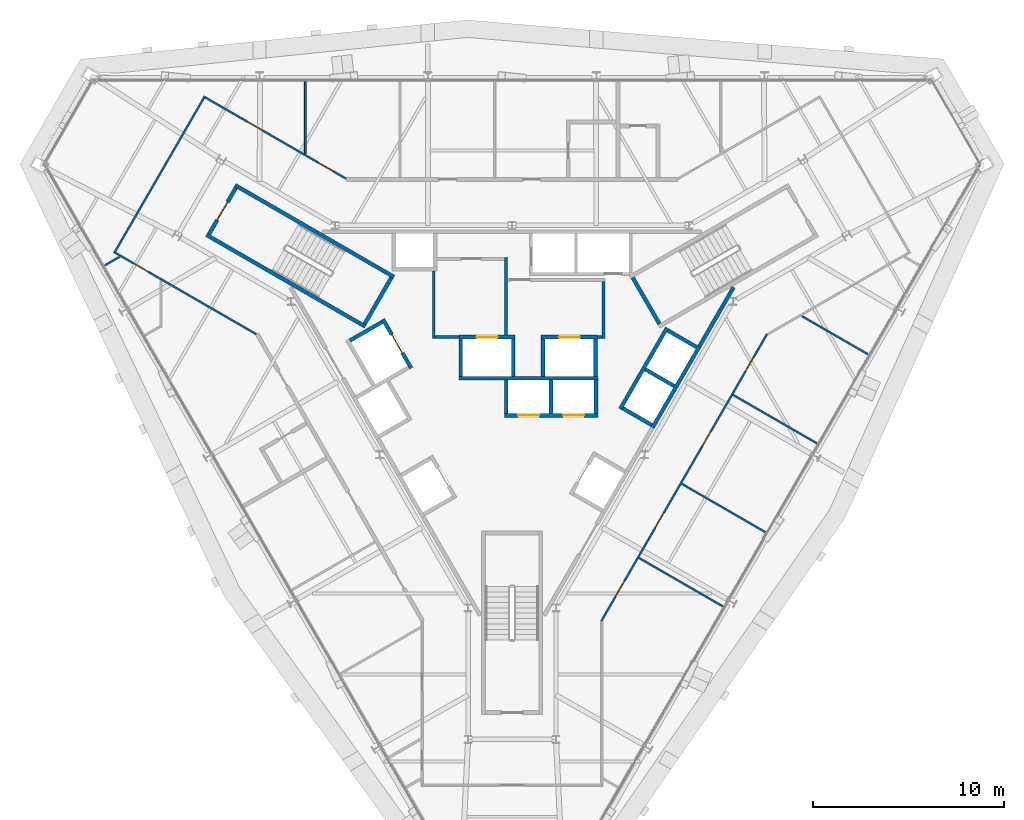
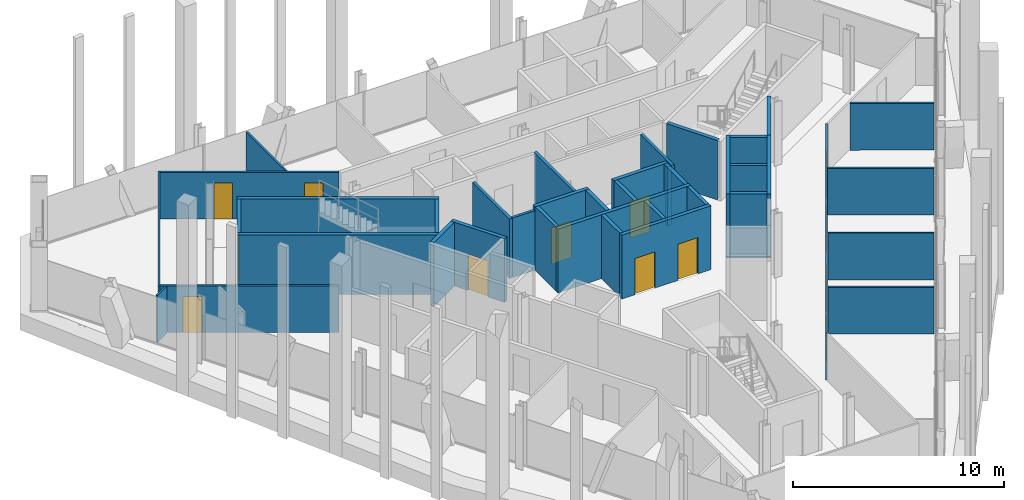
# One storey, part 10 of 14: 39 walls, 13 doors, 13 openings.
"""IFC4 building model written with IfcOpenShell, lengths in metres."""

from ifc_helpers import new_model, si_unit, direction, frame, frame_2d, origin, place, context, subcontext, project, spatial, rectangle, extrude, material, layer, layer_set, type_object, element, fill, save


model = new_model("IFC4")

# Units and contexts
model_context = context("Model", 3, precision=1e-05, world=origin(), true_north=direction((0.0, 1.0)))
body_context = subcontext(model_context, "Body", "Model", "MODEL_VIEW")
ifc_project = project(units=[si_unit("LENGTHUNIT", "METRE"), si_unit("AREAUNIT", "SQUARE_METRE"), si_unit("VOLUMEUNIT", "CUBIC_METRE"), si_unit("PLANEANGLEUNIT", "RADIAN"), si_unit("MASSUNIT", "GRAM", prefix="KILO")], contexts=[model_context])

# Site, building, storey
site_placement = place(None, origin())
site = spatial("IfcSite", under=ifc_project, at=site_placement, CompositionType="ELEMENT")
building_placement = place(site_placement, origin())
building = spatial("IfcBuilding", under=site, at=building_placement, Name="Verrane Prism Tower", CompositionType="ELEMENT")
storey_placement = place(building_placement, frame((0.0, 0.0, 217.5)))
storey = spatial("IfcBuildingStorey", under=building, at=storey_placement, Name="L54", CompositionType="ELEMENT", Elevation=217.5)

# Walls
ifc_material_1 = material(Name="Gypsum board partition", Category="other")
ifc_layer_1 = layer(ifc_material_1, 0.199951171875)
ifc_layer_set_1 = layer_set([ifc_layer_1], Name="CW-200 core boundary wall 2 h")
wall_type_1 = type_object("IfcWallType", Name="CW-200 core boundary wall 2 h", PredefinedType="PARTITIONING", material=ifc_layer_set_1)
wall_1_placement = place(storey_placement, frame((9.802978515625, 1.657958984375, 0.0), z_axis=(0.0, 0.0, 1.0), x_axis=(0.499943114462, 0.866058244174, 0.0)))
element("IfcWall", 1, at=wall_1_placement, inside=storey, type_object=wall_type_1, Name="Core boundary wall CW3-008", PredefinedType="PARTITIONING", context=body_context, shape_type="SweptSolid", body=[
    extrude(rectangle(XDim=3.57568359375, YDim=0.199951171875, at=frame_2d((1.787841796875, 0.0))), origin(), (0.0, 0.0, 1.0), 3.449951171875),
])
ifc_material_2 = material(Name="Concrete C40/50", Category="concrete")
ifc_layer_2 = layer(ifc_material_2, 0.199951171875)
ifc_layer_set_2 = layer_set([ifc_layer_2], Name="CW-200 stair core wall concrete C40/50 3 h")
wall_type_2 = type_object("IfcWallType", Name="CW-200 stair core wall concrete C40/50 3 h", PredefinedType="PARTITIONING", material=ifc_layer_set_2)
wall_2_placement = place(storey_placement, frame((7.71484375, 2.837646484375, 0.0), z_axis=(0.0, 0.0, 1.0), x_axis=(-0.500049511043, 0.865996816683, 0.0)))
element("IfcWall", 2, at=wall_2_placement, inside=storey, type_object=wall_type_2, Name="Stair 1 enclosure wall", PredefinedType="PARTITIONING", context=body_context, shape_type="SweptSolid", body=[
    extrude(rectangle(XDim=2.800048828125, YDim=0.199951171875, at=frame_2d((1.39990234375, 0.0))), origin(), (0.0, 0.0, 1.0), 3.449951171875),
])

# Wall, opening, door
wall_3_placement = place(storey_placement, frame((-14.455322265625, 9.96240234375, 0.0), z_axis=(0.0, 0.0, 1.0), x_axis=(-0.500049511043, -0.865996816683, 0.0)))
wall_3 = element("IfcWall", 3, at=wall_3_placement, inside=storey, type_object=wall_type_2, Name="Stair 2 enclosure wall", PredefinedType="PARTITIONING", context=body_context, shape_type="SweptSolid", body=[
    extrude(rectangle(XDim=2.800048828125, YDim=0.199951171875, at=frame_2d((1.39990234375, 0.0))), origin(), (0.0, 0.0, 1.0), 3.449951171875),
])
opening_1_placement = place(wall_3_placement, frame((0.849853515625, 0.0, 0.0)))
opening_1 = element("IfcOpeningElement", 4, at=opening_1_placement, cuts=wall_3, Name="Opening D54501", PredefinedType="OPENING", context=body_context, shape_type="SweptSolid", body=[
    extrude(rectangle(XDim=1.10009765625, YDim=2.10009765625, at=frame_2d((0.550048828125, 1.050048828125))), frame((0.0, 0.10986328125, 0.0), z_axis=(0.0, -1.0, 0.0), x_axis=(1.0, 0.0, 0.0)), (0.0, 0.0, 1.0), 0.219970703125),
])
ifc_material_3 = material(Name="Timber veneered door leaf", Category="wood")
door_type_1 = type_object("IfcDoorType", Name="DR-1100x2100 FD90 single leaf stair", OperationType="NOTDEFINED", PredefinedType="DOOR", material=ifc_material_3)
door_1_placement = place(opening_1_placement, origin())
door_1 = element("IfcDoor", 5, at=door_1_placement, inside=storey, type_object=door_type_1, Name="Stair 2 door", OperationType="SINGLE_SWING_RIGHT", OverallHeight=2.10009765625, OverallWidth=1.10009765625, PredefinedType="DOOR", context=body_context, shape_type="SweptSolid", body=[
    extrude(rectangle(XDim=1.10009765625, YDim=2.10009765625, at=frame_2d((0.550048828125, 1.050048828125))), frame((0.0, 0.02490234375, 0.0), z_axis=(0.0, -1.0, 0.0), x_axis=(1.0, 0.0, 0.0)), (0.0, 0.0, 1.0), 0.050048828125),
])
fill(opening_1, door_1)

# Walls
for number, where, z_axis, x_axis, name in (
    (6, (-7.67822265625, 2.700927734375, 0.0), (0.0, 0.0, 1.0), (-0.866019993635, 0.500009370536, 0.0), "Stair 2 enclosure wall"),
    (7, (-6.17822265625, 5.299072265625, 0.0), (0.0, 0.0, 1.0), (-0.866019993635, 0.500009370536, 0.0), "Stair 2 enclosure wall"),
):
    element("IfcWall", number, at=place(storey_placement, frame(where, z_axis=z_axis, x_axis=x_axis)), inside=storey, type_object=wall_type_2, Name=name, PredefinedType="PARTITIONING", context=body_context, shape_type="SweptSolid", body=[
        extrude(rectangle(XDim=9.599853515625, YDim=0.199951171875, at=frame_2d((4.7998046875, 0.0))), origin(), (0.0, 0.0, 1.0), 3.449951171875),
    ])
wall_4_placement = place(storey_placement, frame((-6.314697265625, 5.262451171875, 0.0), z_axis=(0.0, 0.0, 1.0), x_axis=(-0.500049511043, -0.865996816683, 0.0)))
element("IfcWall", 8, at=wall_4_placement, inside=storey, type_object=wall_type_2, Name="Stair 2 enclosure wall", PredefinedType="PARTITIONING", context=body_context, shape_type="SweptSolid", body=[
    extrude(rectangle(XDim=2.800048828125, YDim=0.199951171875, at=frame_2d((1.39990234375, 0.0))), origin(), (0.0, 0.0, 1.0), 3.449951171875),
])

# Wall, openings, doors
ifc_material_4 = material(Name="Gypsum board shaft wall assembly", Category="other")
ifc_layer_3 = layer(ifc_material_4, 0.199951171875)
ifc_layer_set_3 = layer_set([ifc_layer_3], Name="HW-200 lift shaft wall 2 h")
wall_type_3 = type_object("IfcWallType", Name="HW-200 lift shaft wall 2 h", PredefinedType="PARTITIONING", material=ifc_layer_set_3)
wall_5_placement = place(storey_placement, frame((-0.405029296875, -1.949951171875, 0.0), z_axis=(0.0, 0.0, 1.0), x_axis=(1.0, 0.0, 0.0)))
wall_5 = element("IfcWall", 9, at=wall_5_placement, inside=storey, type_object=wall_type_3, Name="Lift shaft wall", PredefinedType="PARTITIONING", context=body_context, shape_type="SweptSolid", body=[
    extrude(rectangle(XDim=4.900146484375, YDim=0.199951171875, at=frame_2d((2.4501953125, 0.0))), origin(), (0.0, 0.0, 1.0), 3.699951171875),
])
opening_2_placement = place(wall_5_placement, frame((0.72509765625, 0.0, 0.0)))
opening_2 = element("IfcOpeningElement", 10, at=opening_2_placement, cuts=wall_5, Name="Opening D54503", PredefinedType="OPENING", context=body_context, shape_type="SweptSolid", body=[
    extrude(rectangle(XDim=1.10009765625, YDim=2.10009765625, at=frame_2d((0.550048828125, 1.050048828125))), frame((0.0, 0.10986328125, 0.0), z_axis=(0.0, -1.0, 0.0), x_axis=(1.0, 0.0, 0.0)), (0.0, 0.0, 1.0), 0.219970703125),
])
opening_3_placement = place(wall_5_placement, frame((3.074951171875, 0.0, 0.0)))
opening_3 = element("IfcOpeningElement", 11, at=opening_3_placement, cuts=wall_5, Name="Opening D54504", PredefinedType="OPENING", context=body_context, shape_type="SweptSolid", body=[
    extrude(rectangle(XDim=1.10009765625, YDim=2.10009765625, at=frame_2d((0.550048828125, 1.050048828125))), frame((0.0, 0.10986328125, 0.0), z_axis=(0.0, -1.0, 0.0), x_axis=(1.0, 0.0, 0.0)), (0.0, 0.0, 1.0), 0.219970703125),
])
ifc_material_5 = material(Name="Stainless steel sliding landing door", Category="steel")
door_type_2 = type_object("IfcDoorType", Name="LD-1100x2100 lift landing door FD90 sliding", OperationType="NOTDEFINED", PredefinedType="DOOR", material=ifc_material_5)
door_2_placement = place(opening_2_placement, origin())
door_2 = element("IfcDoor", 12, at=door_2_placement, inside=storey, type_object=door_type_2, Name="Bank B lift 1 landing door", OperationType="SLIDING_TO_LEFT", OverallHeight=2.10009765625, OverallWidth=1.10009765625, PredefinedType="DOOR", context=body_context, shape_type="SweptSolid", body=[
    extrude(rectangle(XDim=1.10009765625, YDim=2.10009765625, at=frame_2d((0.550048828125, 1.050048828125))), frame((0.0, 0.02490234375, 0.0), z_axis=(0.0, -1.0, 0.0), x_axis=(1.0, 0.0, 0.0)), (0.0, 0.0, 1.0), 0.050048828125),
])
fill(opening_2, door_2)
door_3_placement = place(opening_3_placement, origin())
door_3 = element("IfcDoor", 13, at=door_3_placement, inside=storey, type_object=door_type_2, Name="Bank B lift 2 landing door", OperationType="SLIDING_TO_RIGHT", OverallHeight=2.10009765625, OverallWidth=1.10009765625, PredefinedType="DOOR", context=body_context, shape_type="SweptSolid", body=[
    extrude(rectangle(XDim=1.10009765625, YDim=2.10009765625, at=frame_2d((0.550048828125, 1.050048828125))), frame((0.0, 0.02490234375, 0.0), z_axis=(0.0, -1.0, 0.0), x_axis=(1.0, 0.0, 0.0)), (0.0, 0.0, 1.0), 0.050048828125),
])
fill(opening_3, door_3)

# Wall
wall_6_placement = place(storey_placement, frame((-2.784912109375, 0.0, 0.0), z_axis=(0.0, 0.0, 1.0), x_axis=(1.0, 0.0, 0.0)))
element("IfcWall", 14, at=wall_6_placement, inside=storey, type_object=wall_type_3, Name="Lift shaft wall", PredefinedType="PARTITIONING", context=body_context, shape_type="SweptSolid", body=[
    extrude(rectangle(XDim=7.280029296875, YDim=0.199951171875, at=frame_2d((3.64013671875, 0.0))), origin(), (0.0, 0.0, 1.0), 3.699951171875),
])

# Wall, opening, door
wall_7_placement = place(storey_placement, frame((-2.784912109375, 2.14990234375, 0.0), z_axis=(0.0, 0.0, 1.0), x_axis=(1.0, 0.0, 0.0)))
wall_7 = element("IfcWall", 15, at=wall_7_placement, inside=storey, type_object=wall_type_3, Name="Lift shaft wall", PredefinedType="PARTITIONING", context=body_context, shape_type="SweptSolid", body=[
    extrude(rectangle(XDim=2.949951171875, YDim=0.199951171875, at=frame_2d((1.47509765625, 0.0))), origin(), (0.0, 0.0, 1.0), 3.699951171875),
])
opening_4_placement = place(wall_7_placement, frame((0.925048828125, 0.0, 0.0)))
opening_4 = element("IfcOpeningElement", 16, at=opening_4_placement, cuts=wall_7, Name="Opening D54507", PredefinedType="OPENING", context=body_context, shape_type="SweptSolid", body=[
    extrude(rectangle(XDim=1.10009765625, YDim=2.10009765625, at=frame_2d((0.550048828125, 1.050048828125))), frame((0.0, 0.10986328125, 0.0), z_axis=(0.0, -1.0, 0.0), x_axis=(1.0, 0.0, 0.0)), (0.0, 0.0, 1.0), 0.219970703125),
])
door_4_placement = place(opening_4_placement, origin())
door_4 = element("IfcDoor", 17, at=door_4_placement, inside=storey, type_object=door_type_2, Name="Fire service lift 1 landing door", OperationType="SLIDING_TO_LEFT", OverallHeight=2.10009765625, OverallWidth=1.10009765625, PredefinedType="DOOR", context=body_context, shape_type="SweptSolid", body=[
    extrude(rectangle(XDim=1.10009765625, YDim=2.10009765625, at=frame_2d((0.550048828125, 1.050048828125))), frame((0.0, 0.02490234375, 0.0), z_axis=(0.0, -1.0, 0.0), x_axis=(1.0, 0.0, 0.0)), (0.0, 0.0, 1.0), 0.050048828125),
])
fill(opening_4, door_4)

wall_8_placement = place(storey_placement, frame((1.52490234375, 2.14990234375, 0.0), z_axis=(0.0, 0.0, 1.0), x_axis=(1.0, 0.0, 0.0)))
wall_8 = element("IfcWall", 18, at=wall_8_placement, inside=storey, type_object=wall_type_3, Name="Lift shaft wall", PredefinedType="PARTITIONING", context=body_context, shape_type="SweptSolid", body=[
    extrude(rectangle(XDim=2.9501953125, YDim=0.199951171875, at=frame_2d((1.47509765625, 0.0))), origin(), (0.0, 0.0, 1.0), 3.699951171875),
])
opening_5_placement = place(wall_8_placement, frame((0.925048828125, 0.0, 0.0)))
opening_5 = element("IfcOpeningElement", 19, at=opening_5_placement, cuts=wall_8, Name="Opening D54508", PredefinedType="OPENING", context=body_context, shape_type="SweptSolid", body=[
    extrude(rectangle(XDim=1.10009765625, YDim=2.10009765625, at=frame_2d((0.550048828125, 1.050048828125))), frame((0.0, 0.10986328125, 0.0), z_axis=(0.0, -1.0, 0.0), x_axis=(1.0, 0.0, 0.0)), (0.0, 0.0, 1.0), 0.219970703125),
])
door_5_placement = place(opening_5_placement, origin())
door_5 = element("IfcDoor", 20, at=door_5_placement, inside=storey, type_object=door_type_2, Name="Fire service lift 2 landing door", OperationType="SLIDING_TO_RIGHT", OverallHeight=2.10009765625, OverallWidth=1.10009765625, PredefinedType="DOOR", context=body_context, shape_type="SweptSolid", body=[
    extrude(rectangle(XDim=1.10009765625, YDim=2.10009765625, at=frame_2d((0.550048828125, 1.050048828125))), frame((0.0, 0.02490234375, 0.0), z_axis=(0.0, -1.0, 0.0), x_axis=(1.0, 0.0, 0.0)), (0.0, 0.0, 1.0), 0.050048828125),
])
fill(opening_5, door_5)

# Walls
wall_9_placement = place(storey_placement, frame((-8.48046875, 1.968505859375, 0.0), z_axis=(0.0, 0.0, 1.0), x_axis=(0.866000020948, 0.500043961785, 0.0)))
element("IfcWall", 21, at=wall_9_placement, inside=storey, type_object=wall_type_3, Name="Lift shaft wall", PredefinedType="PARTITIONING", context=body_context, shape_type="SweptSolid", body=[
    extrude(rectangle(XDim=1.949951171875, YDim=0.199951171875, at=frame_2d((0.97509765625, 0.0))), origin(), (0.0, 0.0, 1.0), 3.699951171875),
])
wall_10_placement = place(storey_placement, frame((7.351318359375, -2.587158203125, 0.0), z_axis=(0.0, 0.0, 1.0), x_axis=(0.500002801628, 0.866023786258, 0.0)))
element("IfcWall", 22, at=wall_10_placement, inside=storey, type_object=wall_type_3, Name="Lift shaft wall", PredefinedType="PARTITIONING", context=body_context, shape_type="SweptSolid", body=[
    extrude(rectangle(XDim=4.89990234375, YDim=0.199951171875, at=frame_2d((2.449951171875, 0.0))), origin(), (0.0, 0.0, 1.0), 3.699951171875),
])
wall_11_placement = place(storey_placement, frame((5.66259765625, -1.6123046875, 0.0), z_axis=(0.0, 0.0, 1.0), x_axis=(0.49998122708, 0.866036242063, 0.0)))
element("IfcWall", 23, at=wall_11_placement, inside=storey, type_object=wall_type_3, Name="Lift shaft wall", PredefinedType="PARTITIONING", context=body_context, shape_type="SweptSolid", body=[
    extrude(rectangle(XDim=4.900146484375, YDim=0.199951171875, at=frame_2d((2.4501953125, 0.0))), origin(), (0.0, 0.0, 1.0), 3.699951171875),
])
wall_12_placement = place(storey_placement, frame((4.39501953125, -1.85009765625, 0.0), z_axis=(0.0, 0.0, 1.0), x_axis=(0.0, 1.0, 0.0)))
element("IfcWall", 24, at=wall_12_placement, inside=storey, type_object=wall_type_3, Name="Lift shaft wall", PredefinedType="PARTITIONING", context=body_context, shape_type="SweptSolid", body=[
    extrude(rectangle(XDim=1.75, YDim=0.199951171875, at=frame_2d((0.875, 0.0))), origin(), (0.0, 0.0, 1.0), 3.699951171875),
])
wall_13_placement = place(storey_placement, frame((4.375, 0.10009765625, 0.0), z_axis=(0.0, 0.0, 1.0), x_axis=(0.0, 1.0, 0.0)))
element("IfcWall", 25, at=wall_13_placement, inside=storey, type_object=wall_type_3, Name="Lift shaft wall", PredefinedType="PARTITIONING", context=body_context, shape_type="SweptSolid", body=[
    extrude(rectangle(XDim=1.949951171875, YDim=0.199951171875, at=frame_2d((0.97509765625, 0.0))), origin(), (0.0, 0.0, 1.0), 3.699951171875),
])
wall_14_placement = place(storey_placement, frame((2.044921875, -1.85009765625, 0.0), z_axis=(0.0, 0.0, 1.0), x_axis=(0.0, 1.0, 0.0)))
element("IfcWall", 26, at=wall_14_placement, inside=storey, type_object=wall_type_3, Name="Lift shaft wall", PredefinedType="PARTITIONING", context=body_context, shape_type="SweptSolid", body=[
    extrude(rectangle(XDim=1.75, YDim=0.199951171875, at=frame_2d((0.875, 0.0))), origin(), (0.0, 0.0, 1.0), 3.699951171875),
])
for number, where, z_axis, x_axis, name in (
    (27, (1.625, 0.10009765625, 0.0), (0.0, 0.0, 1.0), (0.0, 1.0, 0.0), "Lift shaft wall"),
    (28, (0.06494140625, 0.10009765625, 0.0), (0.0, 0.0, 1.0), (0.0, 1.0, 0.0), "Lift shaft wall"),
):
    element("IfcWall", number, at=place(storey_placement, frame(where, z_axis=z_axis, x_axis=x_axis)), inside=storey, type_object=wall_type_3, Name=name, PredefinedType="PARTITIONING", context=body_context, shape_type="SweptSolid", body=[
        extrude(rectangle(XDim=1.949951171875, YDim=0.199951171875, at=frame_2d((0.97509765625, 0.0))), origin(), (0.0, 0.0, 1.0), 3.699951171875),
    ])
wall_15_placement = place(storey_placement, frame((-0.304931640625, -1.85009765625, 0.0), z_axis=(0.0, 0.0, 1.0), x_axis=(0.0, 1.0, 0.0)))
element("IfcWall", 29, at=wall_15_placement, inside=storey, type_object=wall_type_3, Name="Lift shaft wall", PredefinedType="PARTITIONING", context=body_context, shape_type="SweptSolid", body=[
    extrude(rectangle(XDim=1.75, YDim=0.199951171875, at=frame_2d((0.875, 0.0))), origin(), (0.0, 0.0, 1.0), 3.699951171875),
])
wall_16_placement = place(storey_placement, frame((-2.68505859375, 0.10009765625, 0.0), z_axis=(0.0, 0.0, 1.0), x_axis=(0.0, 1.0, 0.0)))
element("IfcWall", 30, at=wall_16_placement, inside=storey, type_object=wall_type_3, Name="Lift shaft wall", PredefinedType="PARTITIONING", context=body_context, shape_type="SweptSolid", body=[
    extrude(rectangle(XDim=1.949951171875, YDim=0.199951171875, at=frame_2d((0.97509765625, 0.0))), origin(), (0.0, 0.0, 1.0), 3.699951171875),
])

# Wall, opening, door
wall_17_placement = place(storey_placement, frame((-5.280029296875, 0.525390625, 0.0), z_axis=(0.0, 0.0, 1.0), x_axis=(-0.500037662692, 0.866003658127, 0.0)))
wall_17 = element("IfcWall", 31, at=wall_17_placement, inside=storey, type_object=wall_type_3, Name="Lift shaft wall", PredefinedType="PARTITIONING", context=body_context, shape_type="SweptSolid", body=[
    extrude(rectangle(XDim=2.949951171875, YDim=0.199951171875, at=frame_2d((1.47509765625, 0.0))), origin(), (0.0, 0.0, 1.0), 3.699951171875),
])
opening_6_placement = place(wall_17_placement, frame((0.925048828125, 0.0, 0.0)))
opening_6 = element("IfcOpeningElement", 32, at=opening_6_placement, cuts=wall_17, Name="Opening D54509", PredefinedType="OPENING", context=body_context, shape_type="SweptSolid", body=[
    extrude(rectangle(XDim=1.10009765625, YDim=2.10009765625, at=frame_2d((0.550048828125, 1.050048828125))), frame((0.0, 0.10986328125, 0.0), z_axis=(0.0, -1.0, 0.0), x_axis=(1.0, 0.0, 0.0)), (0.0, 0.0, 1.0), 0.219970703125),
])
door_6_placement = place(opening_6_placement, origin())
door_6 = element("IfcDoor", 33, at=door_6_placement, inside=storey, type_object=door_type_2, Name="Service lift 1 landing door", OperationType="SLIDING_TO_LEFT", OverallHeight=2.10009765625, OverallWidth=1.10009765625, PredefinedType="DOOR", context=body_context, shape_type="SweptSolid", body=[
    extrude(rectangle(XDim=1.10009765625, YDim=2.10009765625, at=frame_2d((0.550048828125, 1.050048828125))), frame((0.0, 0.02490234375, 0.0), z_axis=(0.0, -1.0, 0.0), x_axis=(1.0, 0.0, 0.0)), (0.0, 0.0, 1.0), 0.050048828125),
])
fill(opening_6, door_6)

# Walls
wall_18_placement = place(storey_placement, frame((9.66455078125, 1.61962890625, 0.0), z_axis=(0.0, 0.0, 1.0), x_axis=(-0.866002029911, 0.500040482552, 0.0)))
element("IfcWall", 34, at=wall_18_placement, inside=storey, type_object=wall_type_3, Name="Lift shaft wall", PredefinedType="PARTITIONING", context=body_context, shape_type="SweptSolid", body=[
    extrude(rectangle(XDim=1.749755859375, YDim=0.199951171875, at=frame_2d((0.875, 0.0))), origin(), (0.0, 0.0, 1.0), 3.699951171875),
])
for number, where, z_axis, x_axis, name in (
    (35, (8.48974609375, -0.41552734375, 0.0), (0.0, 0.0, 1.0), (-0.866036909293, 0.499980071345, 0.0), "Lift shaft wall"),
    (36, (7.314697265625, -2.45068359375, 0.0), (0.0, 0.0, 1.0), (-0.866036909293, 0.499980071345, 0.0), "Lift shaft wall"),
):
    element("IfcWall", number, at=place(storey_placement, frame(where, z_axis=z_axis, x_axis=x_axis)), inside=storey, type_object=wall_type_3, Name=name, PredefinedType="PARTITIONING", context=body_context, shape_type="SweptSolid", body=[
        extrude(rectangle(XDim=1.75, YDim=0.199951171875, at=frame_2d((0.875, 0.0))), origin(), (0.0, 0.0, 1.0), 3.699951171875),
    ])
ifc_material_6 = material(Name="Gypsum board partition", Category="other")
ifc_layer_4 = layer(ifc_material_6, 0.14990234375)
ifc_layer_set_4 = layer_set([ifc_layer_4], Name="LF-150 firefighting lobby wall 1 h")
wall_type_4 = type_object("IfcWallType", Name="LF-150 firefighting lobby wall 1 h", PredefinedType="PARTITIONING", material=ifc_layer_set_4)
wall_19_placement = place(storey_placement, frame((-4.10009765625, 2.0849609375, 0.0), z_axis=(0.0, 0.0, 1.0), x_axis=(0.0, 1.0, 0.0)))
element("IfcWall", 37, at=wall_19_placement, inside=storey, type_object=wall_type_4, Name="Firefighting lobby wall LF1-001", PredefinedType="PARTITIONING", context=body_context, shape_type="SweptSolid", body=[
    extrude(rectangle(XDim=3.52294921875, YDim=0.14990234375, at=frame_2d((1.761474609375, 0.0))), origin(), (0.0, 0.0, 1.0), 3.449951171875),
])
wall_20_placement = place(storey_placement, frame((-4.02490234375, 2.159912109375, 0.0), z_axis=(0.0, 0.0, 1.0), x_axis=(1.0, 0.0, 0.0)))
element("IfcWall", 38, at=wall_20_placement, inside=storey, type_object=wall_type_4, Name="Firefighting lobby wall LF1-002", PredefinedType="PARTITIONING", context=body_context, shape_type="SweptSolid", body=[
    extrude(rectangle(XDim=1.23779296875, YDim=0.14990234375, at=frame_2d((0.618896484375, 0.0))), origin(), (0.0, 0.0, 1.0), 3.449951171875),
])
wall_21_placement = place(storey_placement, frame((-0.320068359375, 2.251953125, 0.0), z_axis=(0.0, 0.0, 1.0), x_axis=(0.0, 1.0, 0.0)))
element("IfcWall", 39, at=wall_21_placement, inside=storey, type_object=wall_type_4, Name="Firefighting lobby wall LF1-004", PredefinedType="PARTITIONING", context=body_context, shape_type="SweptSolid", body=[
    extrude(rectangle(XDim=4.06298828125, YDim=0.14990234375, at=frame_2d((2.031494140625, 0.0))), origin(), (0.0, 0.0, 1.0), 3.449951171875),
])
wall_22_placement = place(storey_placement, frame((4.47705078125, 2.159912109375, 0.0), z_axis=(0.0, 0.0, 1.0), x_axis=(1.0, 0.0, 0.0)))
element("IfcWall", 40, at=wall_22_placement, inside=storey, type_object=wall_type_4, Name="Firefighting lobby wall LF1-006", PredefinedType="PARTITIONING", context=body_context, shape_type="SweptSolid", body=[
    extrude(rectangle(XDim=0.238037109375, YDim=0.14990234375, at=frame_2d((0.119140625, 0.0))), origin(), (0.0, 0.0, 1.0), 3.449951171875),
])
wall_23_placement = place(storey_placement, frame((4.7900390625, 2.0849609375, 0.0), z_axis=(0.0, 0.0, 1.0), x_axis=(0.0, 1.0, 0.0)))
element("IfcWall", 41, at=wall_23_placement, inside=storey, type_object=wall_type_4, Name="Firefighting lobby wall LF1-007", PredefinedType="PARTITIONING", context=body_context, shape_type="SweptSolid", body=[
    extrude(rectangle(XDim=2.97998046875, YDim=0.14990234375, at=frame_2d((1.489990234375, 0.0))), origin(), (0.0, 0.0, 1.0), 3.449951171875),
])
ifc_material_7 = material(Name="Gypsum board partition", Category="other")
ifc_layer_5 = layer(ifc_material_7, 0.10009765625)
ifc_layer_set_5 = layer_set([ifc_layer_5], Name="PW-100 room partition")
wall_type_5 = type_object("IfcWallType", Name="PW-100 room partition", PredefinedType="PARTITIONING", material=ifc_layer_set_5)
wall_24_placement = place(storey_placement, frame((-21.312744140625, 5.903076171875, 0.0), z_axis=(0.0, 0.0, 1.0), x_axis=(0.865952303503, 0.500126592033, 0.0)))
element("IfcWall", 42, at=wall_24_placement, inside=storey, type_object=wall_type_5, Name="Room partition 001", PredefinedType="PARTITIONING", context=body_context, shape_type="SweptSolid", body=[
    extrude(rectangle(XDim=0.888916015625, YDim=0.10009765625, at=frame_2d((0.4443359375, 0.0))), origin(), (0.0, 0.0, 1.0), 2.712890625),
])
wall_25_placement = place(storey_placement, frame((-20.823974609375, 6.538818359375, 0.0), z_axis=(0.0, 0.0, 1.0), x_axis=(0.500297300687, 0.865853689098, 0.0)))
element("IfcWall", 43, at=wall_25_placement, inside=storey, type_object=wall_type_5, Name="Room partition 002", PredefinedType="PARTITIONING", context=body_context, shape_type="SweptSolid", body=[
    extrude(rectangle(XDim=9.496337890625, YDim=0.10009765625, at=frame_2d((4.748046875, 0.0))), origin(), (0.0, 0.0, 1.0), 2.712890625),
])

# Wall, opening, door
wall_26_placement = place(storey_placement, frame((-13.390625, 2.305419921875, 0.0), z_axis=(0.0, 0.0, 1.0), x_axis=(-0.86606177021, 0.499937006213, 0.0)))
wall_26 = element("IfcWall", 44, at=wall_26_placement, inside=storey, type_object=wall_type_5, Name="Room partition 003", PredefinedType="PARTITIONING", context=body_context, shape_type="SweptSolid", body=[
    extrude(rectangle(XDim=8.50390625, YDim=0.10009765625, at=frame_2d((4.251953125, 0.0))), origin(), (0.0, 0.0, 1.0), 2.712890625),
])
opening_7_placement = place(wall_26_placement, frame((6.522216796875, 0.0, 0.0)))
opening_7 = element("IfcOpeningElement", 45, at=opening_7_placement, cuts=wall_26, Name="Opening D54014", PredefinedType="OPENING", context=body_context, shape_type="SweptSolid", body=[
    extrude(rectangle(XDim=0.89990234375, YDim=2.10009765625, at=frame_2d((0.449951171875, 1.050048828125))), frame((0.0, 0.06005859375, 0.0), z_axis=(0.0, -1.0, 0.0), x_axis=(1.0, 0.0, 0.0)), (0.0, 0.0, 1.0), 0.1201171875),
])
ifc_material_8 = material(Name="Timber veneered door leaf", Category="wood")
door_type_3 = type_object("IfcDoorType", Name="DR-900x2100 single leaf unit", OperationType="NOTDEFINED", PredefinedType="DOOR", material=ifc_material_8)
door_7_placement = place(opening_7_placement, origin())
door_7 = element("IfcDoor", 46, at=door_7_placement, inside=storey, type_object=door_type_3, Name="Kitchen door", OperationType="SINGLE_SWING_LEFT", OverallHeight=2.10009765625, OverallWidth=0.89990234375, PredefinedType="DOOR", context=body_context, shape_type="SweptSolid", body=[
    extrude(rectangle(XDim=0.89990234375, YDim=2.10009765625, at=frame_2d((0.449951171875, 1.050048828125))), frame((0.0, 0.02490234375, 0.0), z_axis=(0.0, -1.0, 0.0), x_axis=(1.0, 0.0, 0.0)), (0.0, 0.0, 1.0), 0.050048828125),
])
fill(opening_7, door_7)

# Wall, openings, doors
wall_27_placement = place(storey_placement, frame((-16.0546875, 14.693115234375, 0.0), z_axis=(0.0, 0.0, 1.0), x_axis=(0.866070360466, -0.499922124658, 0.0)))
wall_27 = element("IfcWall", 47, at=wall_27_placement, inside=storey, type_object=wall_type_5, Name="Room partition 006", PredefinedType="PARTITIONING", context=body_context, shape_type="SweptSolid", body=[
    extrude(rectangle(XDim=8.502685546875, YDim=0.10009765625, at=frame_2d((4.25146484375, 0.0))), origin(), (0.0, 0.0, 1.0), 2.712890625),
])
opening_8_placement = place(wall_27_placement, frame((6.846923828125, 0.0, 0.0)))
opening_8 = element("IfcOpeningElement", 48, at=opening_8_placement, cuts=wall_27, Name="Opening D54012", PredefinedType="OPENING", context=body_context, shape_type="SweptSolid", body=[
    extrude(rectangle(XDim=0.89990234375, YDim=2.10009765625, at=frame_2d((0.449951171875, 1.050048828125))), frame((0.0, 0.06005859375, 0.0), z_axis=(0.0, -1.0, 0.0), x_axis=(1.0, 0.0, 0.0)), (0.0, 0.0, 1.0), 0.1201171875),
])
opening_9_placement = place(wall_27_placement, frame((2.550048828125, 0.0, 0.0)))
opening_9 = element("IfcOpeningElement", 49, at=opening_9_placement, cuts=wall_27, Name="Opening D54013", PredefinedType="OPENING", context=body_context, shape_type="SweptSolid", body=[
    extrude(rectangle(XDim=0.89990234375, YDim=2.10009765625, at=frame_2d((0.449951171875, 1.050048828125))), frame((0.0, 0.06005859375, 0.0), z_axis=(0.0, -1.0, 0.0), x_axis=(1.0, 0.0, 0.0)), (0.0, 0.0, 1.0), 0.1201171875),
])
door_8_placement = place(opening_8_placement, origin())
door_8 = element("IfcDoor", 50, at=door_8_placement, inside=storey, type_object=door_type_3, Name="Utility Room door", OperationType="SINGLE_SWING_RIGHT", OverallHeight=2.10009765625, OverallWidth=0.89990234375, PredefinedType="DOOR", context=body_context, shape_type="SweptSolid", body=[
    extrude(rectangle(XDim=0.89990234375, YDim=2.10009765625, at=frame_2d((0.449951171875, 1.050048828125))), frame((0.0, 0.02490234375, 0.0), z_axis=(0.0, -1.0, 0.0), x_axis=(1.0, 0.0, 0.0)), (0.0, 0.0, 1.0), 0.050048828125),
])
fill(opening_8, door_8)
door_9_placement = place(opening_9_placement, origin())
door_9 = element("IfcDoor", 51, at=door_9_placement, inside=storey, type_object=door_type_3, Name="Utility Room door", OperationType="SINGLE_SWING_LEFT", OverallHeight=2.10009765625, OverallWidth=0.89990234375, PredefinedType="DOOR", context=body_context, shape_type="SweptSolid", body=[
    extrude(rectangle(XDim=0.89990234375, YDim=2.10009765625, at=frame_2d((0.449951171875, 1.050048828125))), frame((0.0, 0.02490234375, 0.0), z_axis=(0.0, -1.0, 0.0), x_axis=(1.0, 0.0, 0.0)), (0.0, 0.0, 1.0), 0.050048828125),
])
fill(opening_9, door_9)

# Wall
wall_28_placement = place(storey_placement, frame((-10.818115234375, 11.756591796875, 0.0), z_axis=(0.0, 0.0, 1.0), x_axis=(0.0, 1.0, 0.0)))
element("IfcWall", 52, at=wall_28_placement, inside=storey, type_object=wall_type_5, Name="Room partition 012", PredefinedType="PARTITIONING", context=body_context, shape_type="SweptSolid", body=[
    extrude(rectangle(XDim=3.74951171875, YDim=0.10009765625, at=frame_2d((1.874755859375, 0.0))), origin(), (0.0, 0.0, 1.0), 2.712890625),
])

# Wall, openings, doors
wall_29_placement = place(storey_placement, frame((13.342041015625, 2.306396484375, 0.0), z_axis=(0.0, 0.0, 1.0), x_axis=(-0.49997440863, -0.866040178465, 0.0)))
wall_29 = element("IfcWall", 53, at=wall_29_placement, inside=storey, type_object=wall_type_5, Name="Room partition 027", PredefinedType="PARTITIONING", context=body_context, shape_type="SweptSolid", body=[
    extrude(rectangle(XDim=17.3349609375, YDim=0.10009765625, at=frame_2d((8.66748046875, 0.0))), origin(), (0.0, 0.0, 1.0), 2.712890625),
])
opening_10_placement = place(wall_29_placement, frame((14.934814453125, 0.0, 0.0)))
opening_10 = element("IfcOpeningElement", 54, at=opening_10_placement, cuts=wall_29, Name="Opening D54001", PredefinedType="OPENING", context=body_context, shape_type="SweptSolid", body=[
    extrude(rectangle(XDim=0.89990234375, YDim=2.10009765625, at=frame_2d((0.449951171875, 1.050048828125))), frame((0.0, 0.06005859375, 0.0), z_axis=(0.0, -1.0, 0.0), x_axis=(1.0, 0.0, 0.0)), (0.0, 0.0, 1.0), 0.1201171875),
])
opening_11_placement = place(wall_29_placement, frame((10.793701171875, 0.0, 0.0)))
opening_11 = element("IfcOpeningElement", 55, at=opening_11_placement, cuts=wall_29, Name="Opening D54002", PredefinedType="OPENING", context=body_context, shape_type="SweptSolid", body=[
    extrude(rectangle(XDim=0.89990234375, YDim=2.10009765625, at=frame_2d((0.449951171875, 1.050048828125))), frame((0.0, 0.06005859375, 0.0), z_axis=(0.0, -1.0, 0.0), x_axis=(1.0, 0.0, 0.0)), (0.0, 0.0, 1.0), 0.1201171875),
])
opening_12_placement = place(wall_29_placement, frame((5.86572265625, 0.0, 0.0)))
opening_12 = element("IfcOpeningElement", 56, at=opening_12_placement, cuts=wall_29, Name="Opening D54003", PredefinedType="OPENING", context=body_context, shape_type="SweptSolid", body=[
    extrude(rectangle(XDim=0.89990234375, YDim=2.10009765625, at=frame_2d((0.449951171875, 1.050048828125))), frame((0.0, 0.06005859375, 0.0), z_axis=(0.0, -1.0, 0.0), x_axis=(1.0, 0.0, 0.0)), (0.0, 0.0, 1.0), 0.1201171875),
])
opening_13_placement = place(wall_29_placement, frame((1.394775390625, 0.0, 0.0)))
opening_13 = element("IfcOpeningElement", 57, at=opening_13_placement, cuts=wall_29, Name="Opening D54004", PredefinedType="OPENING", context=body_context, shape_type="SweptSolid", body=[
    extrude(rectangle(XDim=0.89990234375, YDim=2.10009765625, at=frame_2d((0.449951171875, 1.050048828125))), frame((0.0, 0.06005859375, 0.0), z_axis=(0.0, -1.0, 0.0), x_axis=(1.0, 0.0, 0.0)), (0.0, 0.0, 1.0), 0.1201171875),
])
door_10_placement = place(opening_10_placement, origin())
door_10 = element("IfcDoor", 58, at=door_10_placement, inside=storey, type_object=door_type_3, Name="Study door", OperationType="SINGLE_SWING_RIGHT", OverallHeight=2.10009765625, OverallWidth=0.89990234375, PredefinedType="DOOR", context=body_context, shape_type="SweptSolid", body=[
    extrude(rectangle(XDim=0.89990234375, YDim=2.10009765625, at=frame_2d((0.449951171875, 1.050048828125))), frame((0.0, 0.02490234375, 0.0), z_axis=(0.0, -1.0, 0.0), x_axis=(1.0, 0.0, 0.0)), (0.0, 0.0, 1.0), 0.050048828125),
])
fill(opening_10, door_10)
door_11_placement = place(opening_11_placement, origin())
door_11 = element("IfcDoor", 59, at=door_11_placement, inside=storey, type_object=door_type_3, Name="Kitchen door", OperationType="SINGLE_SWING_LEFT", OverallHeight=2.10009765625, OverallWidth=0.89990234375, PredefinedType="DOOR", context=body_context, shape_type="SweptSolid", body=[
    extrude(rectangle(XDim=0.89990234375, YDim=2.10009765625, at=frame_2d((0.449951171875, 1.050048828125))), frame((0.0, 0.02490234375, 0.0), z_axis=(0.0, -1.0, 0.0), x_axis=(1.0, 0.0, 0.0)), (0.0, 0.0, 1.0), 0.050048828125),
])
fill(opening_11, door_11)
door_12_placement = place(opening_12_placement, origin())
door_12 = element("IfcDoor", 60, at=door_12_placement, inside=storey, type_object=door_type_3, Name="Study door", OperationType="SINGLE_SWING_RIGHT", OverallHeight=2.10009765625, OverallWidth=0.89990234375, PredefinedType="DOOR", context=body_context, shape_type="SweptSolid", body=[
    extrude(rectangle(XDim=0.89990234375, YDim=2.10009765625, at=frame_2d((0.449951171875, 1.050048828125))), frame((0.0, 0.02490234375, 0.0), z_axis=(0.0, -1.0, 0.0), x_axis=(1.0, 0.0, 0.0)), (0.0, 0.0, 1.0), 0.050048828125),
])
fill(opening_12, door_12)
door_13_placement = place(opening_13_placement, origin())
door_13 = element("IfcDoor", 61, at=door_13_placement, inside=storey, type_object=door_type_3, Name="Study door", OperationType="SINGLE_SWING_LEFT", OverallHeight=2.10009765625, OverallWidth=0.89990234375, PredefinedType="DOOR", context=body_context, shape_type="SweptSolid", body=[
    extrude(rectangle(XDim=0.89990234375, YDim=2.10009765625, at=frame_2d((0.449951171875, 1.050048828125))), frame((0.0, 0.02490234375, 0.0), z_axis=(0.0, -1.0, 0.0), x_axis=(1.0, 0.0, 0.0)), (0.0, 0.0, 1.0), 0.050048828125),
])
fill(opening_13, door_13)

# Walls
for number, where, z_axis, x_axis, name in (
    (62, (6.642578125, -9.407470703125, 0.0), (0.0, 0.0, 1.0), (0.866056765328, -0.499945676278, 0.0), "Room partition 030"),
    (63, (8.881591796875, -5.529541015625, 0.0), (0.0, 0.0, 1.0), (0.865915800513, -0.500189790402, 0.0), "Room partition 033"),
):
    element("IfcWall", number, at=place(storey_placement, frame(where, z_axis=z_axis, x_axis=x_axis)), inside=storey, type_object=wall_type_5, Name=name, PredefinedType="PARTITIONING", context=body_context, shape_type="SweptSolid", body=[
        extrude(rectangle(XDim=5.04931640625, YDim=0.10009765625, at=frame_2d((2.524658203125, 0.0))), origin(), (0.0, 0.0, 1.0), 2.712890625),
    ])
wall_30_placement = place(storey_placement, frame((11.563232421875, -0.875, 0.0), z_axis=(0.0, 0.0, 1.0), x_axis=(0.866052865344, -0.499952432166, 0.0)))
element("IfcWall", 64, at=wall_30_placement, inside=storey, type_object=wall_type_5, Name="Room partition 035", PredefinedType="PARTITIONING", context=body_context, shape_type="SweptSolid", body=[
    extrude(rectangle(XDim=5.05419921875, YDim=0.10009765625, at=frame_2d((2.527099609375, 0.0))), origin(), (0.0, 0.0, 1.0), 2.712890625),
])
wall_31_placement = place(storey_placement, frame((15.169921875, 3.24560546875, 0.0), z_axis=(0.0, 0.0, 1.0), x_axis=(0.866149939141, -0.499784236372, 0.0)))
element("IfcWall", 65, at=wall_31_placement, inside=storey, type_object=wall_type_5, Name="Room partition 037", PredefinedType="PARTITIONING", context=body_context, shape_type="SweptSolid", body=[
    extrude(rectangle(XDim=3.990966796875, YDim=0.10009765625, at=frame_2d((1.99560546875, 0.0))), origin(), (0.0, 0.0, 1.0), 2.712890625),
])

save(model, "model.ifc")
